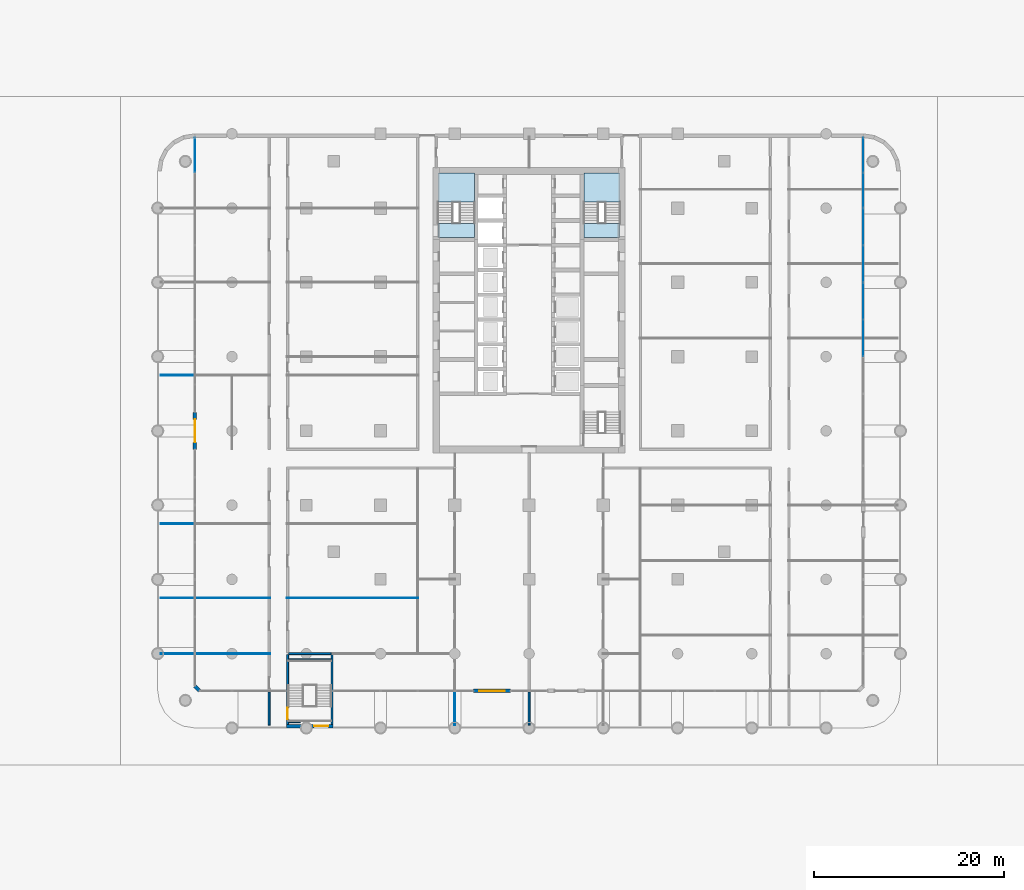
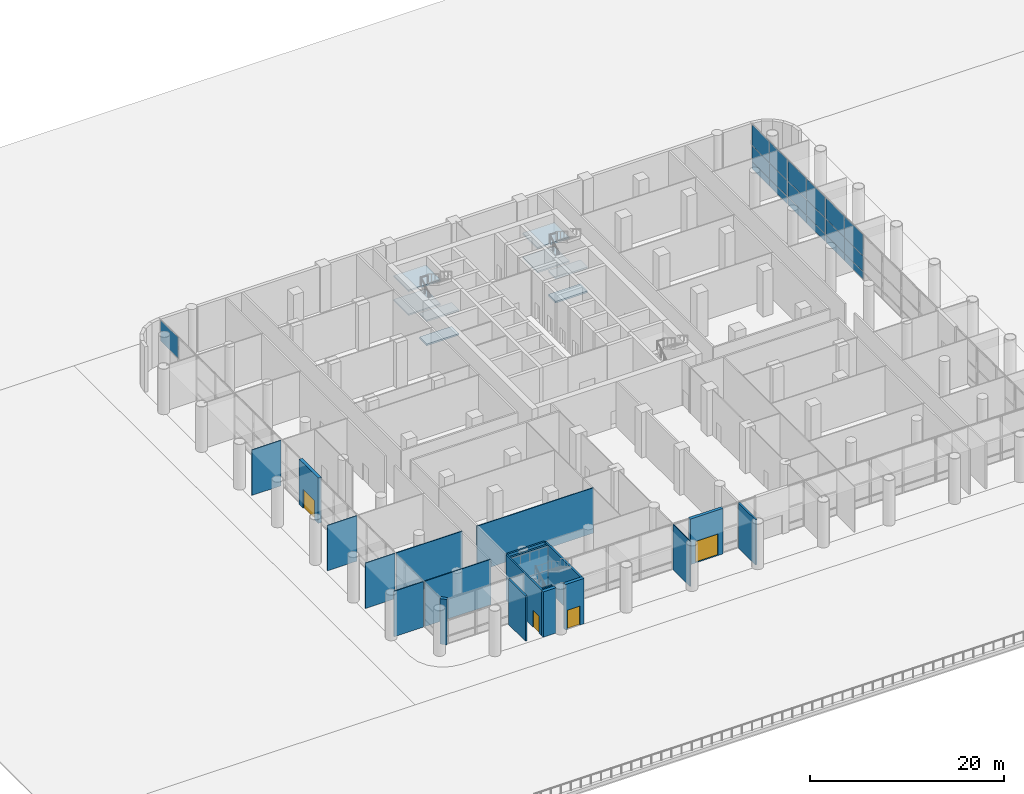
# One storey, part 10 of 32: 20 walls, 19 plates, 8 slabs, 4 doors, 4 openings, 6 elements without a shape of their own.
"""IFC4 building model written with IfcOpenShell, lengths in metres."""

from ifc_helpers import new_model, si_unit, direction, frame, frame_2d, origin, origin_2d, place, context, subcontext, project, spatial, polyline, rectangle, outline, extrude, material, layer, layer_set, type_object, element, fill, aggregate, save


model = new_model("IFC4")

# Units and contexts
model_context = context("Model", 3, precision=1e-05, world=origin(), true_north=direction((0.0, 1.0)))
body_context = subcontext(model_context, "Body", "Model", "MODEL_VIEW")
ifc_project = project(units=[si_unit("LENGTHUNIT", "METRE"), si_unit("AREAUNIT", "SQUARE_METRE"), si_unit("VOLUMEUNIT", "CUBIC_METRE"), si_unit("PLANEANGLEUNIT", "RADIAN"), si_unit("MASSUNIT", "GRAM", prefix="KILO")], contexts=[model_context])

# Site, building, storey
site_placement = place(None, origin())
site = spatial("IfcSite", under=ifc_project, at=site_placement, CompositionType="ELEMENT")
building_placement = place(site_placement, origin())
building = spatial("IfcBuilding", under=site, at=building_placement, Name="Ludao Terraces", CompositionType="ELEMENT")
storey_placement = place(building_placement, origin())
storey = spatial("IfcBuildingStorey", under=building, at=storey_placement, Name="L00", CompositionType="ELEMENT", Elevation=0.0)

# Curtain wall, plates
ifc_material_1 = material(Name="Aluminium curtain wall with fritted glass", Category="aluminium")
curtain_wall_type = type_object("IfcCurtainWallType", Name="ENV CW2 entrance glazing", PredefinedType="NOTDEFINED", material=ifc_material_1)
curtain_wall_1_placement = place(storey_placement, origin())
curtain_wall_1 = element("IfcCurtainWall", 1, at=curtain_wall_1_placement, inside=storey, type_object=curtain_wall_type, Name="CW-L00-E7", PredefinedType="NOTDEFINED")
ifc_material_2 = material(Name="Fritted glass panel", Category="glass")
ifc_layer_1 = layer(ifc_material_2, 0.033935546875)
ifc_layer_set_1 = layer_set([ifc_layer_1], Name="ENV CW2 glass panel")
plate_type = type_object("IfcPlateType", Name="ENV CW2 glass panel", PredefinedType="CURTAIN_PANEL", material=ifc_layer_set_1)
plate_1_placement = place(storey_placement, frame((120.10009765625, 66.965087890625, 0.06005859375), z_axis=(0.0, 0.0, 1.0), x_axis=(0.0, 1.0, 0.0)))
plate_1 = element("IfcPlate", 2, at=plate_1_placement, type_object=plate_type, Name="CW2 panel 1.1", PredefinedType="CURTAIN_PANEL", context=body_context, shape_type="SweptSolid", body=[
    extrude(rectangle(XDim=3.81005859375, YDim=0.033935546875, at=origin_2d()), origin(), (0.0, 0.0, 1.0), 0.909912109375),
])
plate_2_placement = place(storey_placement, frame((120.10009765625, 66.965087890625, 1.030029296875), z_axis=(0.0, 0.0, 1.0), x_axis=(0.0, 1.0, 0.0)))
plate_2 = element("IfcPlate", 3, at=plate_2_placement, type_object=plate_type, Name="CW2 panel 1.2", PredefinedType="CURTAIN_PANEL", context=body_context, shape_type="SweptSolid", body=[
    extrude(rectangle(XDim=3.81005859375, YDim=0.033935546875, at=origin_2d()), origin(), (0.0, 0.0, 1.0), 1.93994140625),
])
plate_3_placement = place(storey_placement, frame((120.10009765625, 66.965087890625, 3.02978515625), z_axis=(0.0, 0.0, 1.0), x_axis=(0.0, 1.0, 0.0)))
plate_3 = element("IfcPlate", 4, at=plate_3_placement, type_object=plate_type, Name="CW2 panel 1.3", PredefinedType="CURTAIN_PANEL", context=body_context, shape_type="SweptSolid", body=[
    extrude(rectangle(XDim=3.81005859375, YDim=0.033935546875, at=origin_2d()), origin(), (0.0, 0.0, 1.0), 2.610107421875),
])
plate_4_placement = place(storey_placement, frame((120.10009765625, 70.8349609375, 0.06005859375), z_axis=(0.0, 0.0, 1.0), x_axis=(0.0, 1.0, 0.0)))
plate_4 = element("IfcPlate", 5, at=plate_4_placement, type_object=plate_type, Name="CW2 panel 2.1", PredefinedType="CURTAIN_PANEL", context=body_context, shape_type="SweptSolid", body=[
    extrude(rectangle(XDim=3.81005859375, YDim=0.033935546875, at=origin_2d()), origin(), (0.0, 0.0, 1.0), 0.909912109375),
])
plate_5_placement = place(storey_placement, frame((120.10009765625, 70.8349609375, 1.030029296875), z_axis=(0.0, 0.0, 1.0), x_axis=(0.0, 1.0, 0.0)))
plate_5 = element("IfcPlate", 6, at=plate_5_placement, type_object=plate_type, Name="CW2 panel 2.2", PredefinedType="CURTAIN_PANEL", context=body_context, shape_type="SweptSolid", body=[
    extrude(rectangle(XDim=3.81005859375, YDim=0.033935546875, at=origin_2d()), origin(), (0.0, 0.0, 1.0), 1.93994140625),
])
plate_6_placement = place(storey_placement, frame((120.10009765625, 70.8349609375, 3.02978515625), z_axis=(0.0, 0.0, 1.0), x_axis=(0.0, 1.0, 0.0)))
plate_6 = element("IfcPlate", 7, at=plate_6_placement, type_object=plate_type, Name="CW2 panel 2.3", PredefinedType="CURTAIN_PANEL", context=body_context, shape_type="SweptSolid", body=[
    extrude(rectangle(XDim=3.81005859375, YDim=0.033935546875, at=origin_2d()), origin(), (0.0, 0.0, 1.0), 2.610107421875),
])
aggregate(curtain_wall_1, [plate_1, plate_2, plate_3, plate_4, plate_5, plate_6])

curtain_wall_2_placement = place(storey_placement, origin())
curtain_wall_2 = element("IfcCurtainWall", 8, at=curtain_wall_2_placement, inside=storey, type_object=curtain_wall_type, Name="CW-L00-E8", PredefinedType="NOTDEFINED")
plate_7_placement = place(storey_placement, frame((120.10009765625, 74.764892578125, 0.06005859375), z_axis=(0.0, 0.0, 1.0), x_axis=(0.0, 1.0, 0.0)))
plate_7 = element("IfcPlate", 9, at=plate_7_placement, type_object=plate_type, Name="CW2 panel 1.1", PredefinedType="CURTAIN_PANEL", context=body_context, shape_type="SweptSolid", body=[
    extrude(rectangle(XDim=3.81005859375, YDim=0.033935546875, at=origin_2d()), origin(), (0.0, 0.0, 1.0), 0.909912109375),
])
plate_8_placement = place(storey_placement, frame((120.10009765625, 74.764892578125, 1.030029296875), z_axis=(0.0, 0.0, 1.0), x_axis=(0.0, 1.0, 0.0)))
plate_8 = element("IfcPlate", 10, at=plate_8_placement, type_object=plate_type, Name="CW2 panel 1.2", PredefinedType="CURTAIN_PANEL", context=body_context, shape_type="SweptSolid", body=[
    extrude(rectangle(XDim=3.81005859375, YDim=0.033935546875, at=origin_2d()), origin(), (0.0, 0.0, 1.0), 1.93994140625),
])
plate_9_placement = place(storey_placement, frame((120.10009765625, 74.764892578125, 3.02978515625), z_axis=(0.0, 0.0, 1.0), x_axis=(0.0, 1.0, 0.0)))
plate_9 = element("IfcPlate", 11, at=plate_9_placement, type_object=plate_type, Name="CW2 panel 1.3", PredefinedType="CURTAIN_PANEL", context=body_context, shape_type="SweptSolid", body=[
    extrude(rectangle(XDim=3.81005859375, YDim=0.033935546875, at=origin_2d()), origin(), (0.0, 0.0, 1.0), 2.610107421875),
])
plate_10_placement = place(storey_placement, frame((120.10009765625, 78.635009765625, 0.06005859375), z_axis=(0.0, 0.0, 1.0), x_axis=(0.0, 1.0, 0.0)))
plate_10 = element("IfcPlate", 12, at=plate_10_placement, type_object=plate_type, Name="CW2 panel 2.1", PredefinedType="CURTAIN_PANEL", context=body_context, shape_type="SweptSolid", body=[
    extrude(rectangle(XDim=3.81005859375, YDim=0.033935546875, at=origin_2d()), origin(), (0.0, 0.0, 1.0), 0.909912109375),
])
plate_11_placement = place(storey_placement, frame((120.10009765625, 78.635009765625, 1.030029296875), z_axis=(0.0, 0.0, 1.0), x_axis=(0.0, 1.0, 0.0)))
plate_11 = element("IfcPlate", 13, at=plate_11_placement, type_object=plate_type, Name="CW2 panel 2.2", PredefinedType="CURTAIN_PANEL", context=body_context, shape_type="SweptSolid", body=[
    extrude(rectangle(XDim=3.81005859375, YDim=0.033935546875, at=origin_2d()), origin(), (0.0, 0.0, 1.0), 1.93994140625),
])
plate_12_placement = place(storey_placement, frame((120.10009765625, 78.635009765625, 3.02978515625), z_axis=(0.0, 0.0, 1.0), x_axis=(0.0, 1.0, 0.0)))
plate_12 = element("IfcPlate", 14, at=plate_12_placement, type_object=plate_type, Name="CW2 panel 2.3", PredefinedType="CURTAIN_PANEL", context=body_context, shape_type="SweptSolid", body=[
    extrude(rectangle(XDim=3.81005859375, YDim=0.033935546875, at=origin_2d()), origin(), (0.0, 0.0, 1.0), 2.610107421875),
])
aggregate(curtain_wall_2, [plate_7, plate_8, plate_9, plate_10, plate_11, plate_12])

curtain_wall_3_placement = place(storey_placement, origin())
curtain_wall_3 = element("IfcCurtainWall", 15, at=curtain_wall_3_placement, inside=storey, type_object=curtain_wall_type, Name="CW-L00-E9", PredefinedType="NOTDEFINED")
plate_13_placement = place(storey_placement, frame((120.10009765625, 82.469970703125, 0.06005859375), z_axis=(0.0, 0.0, 1.0), x_axis=(0.0, 1.0, 0.0)))
plate_13 = element("IfcPlate", 16, at=plate_13_placement, type_object=plate_type, Name="CW2 panel 1.1", PredefinedType="CURTAIN_PANEL", context=body_context, shape_type="SweptSolid", body=[
    extrude(rectangle(XDim=3.6201171875, YDim=0.033935546875, at=origin_2d()), origin(), (0.0, 0.0, 1.0), 0.909912109375),
])
plate_14_placement = place(storey_placement, frame((120.10009765625, 82.469970703125, 1.030029296875), z_axis=(0.0, 0.0, 1.0), x_axis=(0.0, 1.0, 0.0)))
plate_14 = element("IfcPlate", 17, at=plate_14_placement, type_object=plate_type, Name="CW2 panel 1.2", PredefinedType="CURTAIN_PANEL", context=body_context, shape_type="SweptSolid", body=[
    extrude(rectangle(XDim=3.6201171875, YDim=0.033935546875, at=origin_2d()), origin(), (0.0, 0.0, 1.0), 1.93994140625),
])
plate_15_placement = place(storey_placement, frame((120.10009765625, 82.469970703125, 3.02978515625), z_axis=(0.0, 0.0, 1.0), x_axis=(0.0, 1.0, 0.0)))
plate_15 = element("IfcPlate", 18, at=plate_15_placement, type_object=plate_type, Name="CW2 panel 1.3", PredefinedType="CURTAIN_PANEL", context=body_context, shape_type="SweptSolid", body=[
    extrude(rectangle(XDim=3.6201171875, YDim=0.033935546875, at=origin_2d()), origin(), (0.0, 0.0, 1.0), 2.610107421875),
])
plate_16_placement = place(storey_placement, frame((120.10009765625, 86.14990234375, 0.06005859375), z_axis=(0.0, 0.0, 1.0), x_axis=(0.0, 1.0, 0.0)))
plate_16 = element("IfcPlate", 19, at=plate_16_placement, type_object=plate_type, Name="CW2 panel 2.1", PredefinedType="CURTAIN_PANEL", context=body_context, shape_type="SweptSolid", body=[
    extrude(rectangle(XDim=3.6201171875, YDim=0.033935546875, at=origin_2d()), origin(), (0.0, 0.0, 1.0), 0.909912109375),
])
plate_17_placement = place(storey_placement, frame((120.10009765625, 86.14990234375, 1.030029296875), z_axis=(0.0, 0.0, 1.0), x_axis=(0.0, 1.0, 0.0)))
plate_17 = element("IfcPlate", 20, at=plate_17_placement, type_object=plate_type, Name="CW2 panel 2.2", PredefinedType="CURTAIN_PANEL", context=body_context, shape_type="SweptSolid", body=[
    extrude(rectangle(XDim=3.6201171875, YDim=0.033935546875, at=origin_2d()), origin(), (0.0, 0.0, 1.0), 1.93994140625),
])
plate_18_placement = place(storey_placement, frame((120.10009765625, 86.14990234375, 3.02978515625), z_axis=(0.0, 0.0, 1.0), x_axis=(0.0, 1.0, 0.0)))
plate_18 = element("IfcPlate", 21, at=plate_18_placement, type_object=plate_type, Name="CW2 panel 2.3", PredefinedType="CURTAIN_PANEL", context=body_context, shape_type="SweptSolid", body=[
    extrude(rectangle(XDim=3.6201171875, YDim=0.033935546875, at=origin_2d()), origin(), (0.0, 0.0, 1.0), 2.610107421875),
])
aggregate(curtain_wall_3, [plate_13, plate_14, plate_15, plate_16, plate_17, plate_18])

# Curtain wall, plate
curtain_wall_4_placement = place(storey_placement, origin())
curtain_wall_4 = element("IfcCurtainWall", 22, at=curtain_wall_4_placement, inside=storey, type_object=curtain_wall_type, Name="CW-L00-W9", PredefinedType="NOTDEFINED")
plate_19_placement = place(storey_placement, frame((49.89990234375, 86.14990234375, 3.02978515625), z_axis=(0.0, 0.0, 1.0), x_axis=(0.0, 1.0, 0.0)))
plate_19 = element("IfcPlate", 23, at=plate_19_placement, type_object=plate_type, Name="CW2 panel 2.3", PredefinedType="CURTAIN_PANEL", context=body_context, shape_type="SweptSolid", body=[
    extrude(rectangle(XDim=3.6201171875, YDim=0.033935546875, at=origin_2d()), origin(), (0.0, 0.0, 1.0), 2.610107421875),
])
aggregate(curtain_wall_4, [plate_19])

# Stair, slabs
ifc_material_3 = material(Name="Concrete C40", Category="concrete")
stair_type = type_object("IfcStairType", Name="INT Stair", PredefinedType="HALF_TURN_STAIR", material=ifc_material_3)
stair_1_placement = place(storey_placement, origin())
stair_1 = element("IfcStair", 24, at=stair_1_placement, inside=storey, type_object=stair_type, Name="EXIT STAIR 1", PredefinedType="HALF_TURN_STAIR")
ifc_layer_2 = layer(ifc_material_3, 0.199951171875)
ifc_layer_set_2 = layer_set([ifc_layer_2], Name="INT Stair landing 200")
slab_type = type_object("IfcSlabType", Name="INT Stair landing 200", PredefinedType="LANDING", material=ifc_layer_set_2)
slab_1_placement = place(storey_placement, frame((0.0, 0.0, 1.300048828125)))
slab_1 = element("IfcSlab", 25, at=slab_1_placement, type_object=slab_type, Name="ST1 landing 1", PredefinedType="LANDING", context=body_context, shape_type="SweptSolid", body=[
    extrude(outline(polyline([(75.449951171875, 81.239990234375), (79.25, 81.239990234375), (79.25, 84.300048828125), (75.449951171875, 84.300048828125), (75.449951171875, 81.239990234375)])), origin(), (0.0, 0.0, 1.0), 0.199951171875),
])
slab_2_placement = place(storey_placement, frame((0.0, 0.0, 2.800048828125)))
slab_2 = element("IfcSlab", 26, at=slab_2_placement, type_object=slab_type, Name="ST1 landing 2", PredefinedType="LANDING", context=body_context, shape_type="SweptSolid", body=[
    extrude(outline(polyline([(75.449951171875, 77.5), (79.25, 77.5), (79.25, 79.0), (75.449951171875, 79.0), (75.449951171875, 77.5)])), origin(), (0.0, 0.0, 1.0), 0.199951171875),
])
slab_3_placement = place(storey_placement, frame((0.0, 0.0, 4.300048828125)))
slab_3 = element("IfcSlab", 27, at=slab_3_placement, type_object=slab_type, Name="ST1 landing 3", PredefinedType="LANDING", context=body_context, shape_type="SweptSolid", body=[
    extrude(outline(polyline([(75.449951171875, 81.239990234375), (79.25, 81.239990234375), (79.25, 84.300048828125), (75.449951171875, 84.300048828125), (75.449951171875, 81.239990234375)])), origin(), (0.0, 0.0, 1.0), 0.199951171875),
])
slab_4_placement = place(storey_placement, frame((0.0, 0.0, -0.199951171875)))
slab_4 = element("IfcSlab", 28, at=slab_4_placement, type_object=slab_type, Name="ST1 landing 4", PredefinedType="LANDING", context=body_context, shape_type="SweptSolid", body=[
    extrude(outline(polyline([(75.449951171875, 77.5), (79.25, 77.5), (79.25, 79.0), (75.449951171875, 79.0), (75.449951171875, 77.5)])), origin(), (0.0, 0.0, 1.0), 0.199951171875),
])
aggregate(stair_1, [slab_1, slab_2, slab_3, slab_4])

stair_2_placement = place(storey_placement, origin())
stair_2 = element("IfcStair", 29, at=stair_2_placement, inside=storey, type_object=stair_type, Name="EXIT STAIR 2", PredefinedType="HALF_TURN_STAIR")
slab_5_placement = place(storey_placement, frame((0.0, 0.0, 1.300048828125)))
slab_5 = element("IfcSlab", 30, at=slab_5_placement, type_object=slab_type, Name="ST2 landing 1", PredefinedType="LANDING", context=body_context, shape_type="SweptSolid", body=[
    extrude(outline(polyline([(90.75, 81.239990234375), (94.550048828125, 81.239990234375), (94.550048828125, 84.300048828125), (90.75, 84.300048828125), (90.75, 81.239990234375)])), origin(), (0.0, 0.0, 1.0), 0.199951171875),
])
slab_6_placement = place(storey_placement, frame((0.0, 0.0, 2.800048828125)))
slab_6 = element("IfcSlab", 31, at=slab_6_placement, type_object=slab_type, Name="ST2 landing 2", PredefinedType="LANDING", context=body_context, shape_type="SweptSolid", body=[
    extrude(outline(polyline([(90.75, 77.5), (94.550048828125, 77.5), (94.550048828125, 79.0), (90.75, 79.0), (90.75, 77.5)])), origin(), (0.0, 0.0, 1.0), 0.199951171875),
])
slab_7_placement = place(storey_placement, frame((0.0, 0.0, 4.300048828125)))
slab_7 = element("IfcSlab", 32, at=slab_7_placement, type_object=slab_type, Name="ST2 landing 3", PredefinedType="LANDING", context=body_context, shape_type="SweptSolid", body=[
    extrude(outline(polyline([(90.75, 81.239990234375), (94.550048828125, 81.239990234375), (94.550048828125, 84.300048828125), (90.75, 84.300048828125), (90.75, 81.239990234375)])), origin(), (0.0, 0.0, 1.0), 0.199951171875),
])
slab_8_placement = place(storey_placement, frame((0.0, 0.0, -0.199951171875)))
slab_8 = element("IfcSlab", 33, at=slab_8_placement, type_object=slab_type, Name="ST2 landing 4", PredefinedType="LANDING", context=body_context, shape_type="SweptSolid", body=[
    extrude(outline(polyline([(90.75, 77.5), (94.550048828125, 77.5), (94.550048828125, 79.0), (90.75, 79.0), (90.75, 77.5)])), origin(), (0.0, 0.0, 1.0), 0.199951171875),
])
aggregate(stair_2, [slab_5, slab_6, slab_7, slab_8])

# Wall, opening, door
ifc_material_4 = material(Name="Granite cladding", Category="masonry")
ifc_layer_3 = layer(ifc_material_4, 0.06005859375, Category="stone")
ifc_material_5 = material(Name="Mineral wool")
ifc_layer_4 = layer(ifc_material_5, 0.06005859375)
ifc_layer_5 = layer(ifc_material_3, 0.260009765625, Category="concrete")
ifc_layer_set_3 = layer_set([ifc_layer_3, ifc_layer_4, ifc_layer_5], Name="ENV Entrance portal wall 380")
wall_type_1 = type_object("IfcWallType", Name="ENV Entrance portal wall 380", PredefinedType="SOLIDWALL", material=ifc_layer_set_3)
wall_1_placement = place(storey_placement, frame((79.14990234375, 29.89990234375, 0.0), z_axis=(0.0, 0.0, 1.0), x_axis=(1.0, 0.0, 0.0)))
wall_1 = element("IfcWall", 34, at=wall_1_placement, inside=storey, type_object=wall_type_1, Name="EW-L00-SP6", PredefinedType="SOLIDWALL", context=body_context, shape_type="SweptSolid", body=[
    extrude(rectangle(XDim=3.900146484375, YDim=0.3798828125, at=frame_2d((1.9501953125, 0.0))), origin(), (0.0, 0.0, 1.0), 5.699951171875),
])
opening_1_placement = place(wall_1_placement, frame((0.60009765625, 0.0, 0.0)))
opening_1 = element("IfcOpeningElement", 35, at=opening_1_placement, cuts=wall_1, Name="Opening EN1", PredefinedType="OPENING", context=body_context, shape_type="SweptSolid", body=[
    extrude(rectangle(XDim=2.699951171875, YDim=2.699951171875, at=frame_2d((1.35009765625, 1.35009765625))), frame((0.0, 0.199951171875, 0.0), z_axis=(0.0, -1.0, 0.0), x_axis=(1.0, 0.0, 0.0)), (0.0, 0.0, 1.0), 0.39990234375),
])
ifc_material_6 = material(Name="Aluminium glazed door", Category="aluminium")
ifc_layer_6 = layer(ifc_material_6, 0.06005859375)
ifc_layer_set_4 = layer_set([ifc_layer_6], Name="ENV Entrance door EN1 2700x2700")
door_type_1 = type_object("IfcDoorType", Name="ENV Entrance door EN1 2700x2700", OperationType="DOUBLE_DOOR_SINGLE_SWING", PredefinedType="DOOR", material=ifc_layer_set_4)
door_1_placement = place(opening_1_placement, frame((2.699951171875, 0.0, 0.0), z_axis=(0.0, 0.0, 1.0), x_axis=(-1.0, 0.0, 0.0)))
door_1 = element("IfcDoor", 36, at=door_1_placement, inside=storey, type_object=door_type_1, Name="EX-L00-S6", OperationType="DOUBLE_DOOR_SINGLE_SWING", OverallHeight=2.699951171875, OverallWidth=2.699951171875, PredefinedType="DOOR", context=body_context, shape_type="SweptSolid", body=[
    extrude(rectangle(XDim=2.699951171875, YDim=2.699951171875, at=frame_2d((1.35009765625, 1.35009765625))), frame((0.0, 0.02490234375, 0.0), z_axis=(0.0, -1.0, 0.0), x_axis=(1.0, 0.0, 0.0)), (0.0, 0.0, 1.0), 0.050048828125),
])
fill(opening_1, door_1)

wall_2_placement = place(storey_placement, frame((49.89990234375, 55.25, 0.0), z_axis=(0.0, 0.0, 1.0), x_axis=(0.0, 1.0, 0.0)))
wall_2 = element("IfcWall", 37, at=wall_2_placement, inside=storey, type_object=wall_type_1, Name="EW-L00-WP5", PredefinedType="SOLIDWALL", context=body_context, shape_type="SweptSolid", body=[
    extrude(rectangle(XDim=3.89990234375, YDim=0.3798828125, at=frame_2d((1.949951171875, 0.0))), origin(), (0.0, 0.0, 1.0), 5.699951171875),
])
opening_2_placement = place(wall_2_placement, frame((0.75, 0.0, 0.0)))
opening_2 = element("IfcOpeningElement", 38, at=opening_2_placement, cuts=wall_2, Name="Opening EN3", PredefinedType="OPENING", context=body_context, shape_type="SweptSolid", body=[
    extrude(rectangle(XDim=2.39990234375, YDim=2.39990234375, at=frame_2d((1.199951171875, 1.199951171875))), frame((0.0, 0.199951171875, 0.0), z_axis=(0.0, -1.0, 0.0), x_axis=(1.0, 0.0, 0.0)), (0.0, 0.0, 1.0), 0.39990234375),
])
ifc_layer_7 = layer(ifc_material_6, 0.06005859375)
ifc_layer_set_5 = layer_set([ifc_layer_7], Name="ENV Entrance door EN3 2400x2400")
door_type_2 = type_object("IfcDoorType", Name="ENV Entrance door EN3 2400x2400", OperationType="DOUBLE_DOOR_SINGLE_SWING", PredefinedType="DOOR", material=ifc_layer_set_5)
door_2_placement = place(opening_2_placement, origin())
door_2 = element("IfcDoor", 39, at=door_2_placement, inside=storey, type_object=door_type_2, Name="EX-L00-W5", OperationType="DOUBLE_DOOR_SINGLE_SWING", OverallHeight=2.39990234375, OverallWidth=2.39990234375, PredefinedType="DOOR", context=body_context, shape_type="SweptSolid", body=[
    extrude(rectangle(XDim=2.39990234375, YDim=2.39990234375, at=frame_2d((1.199951171875, 1.199951171875))), frame((0.0, 0.02490234375, 0.0), z_axis=(0.0, -1.0, 0.0), x_axis=(1.0, 0.0, 0.0)), (0.0, 0.0, 1.0), 0.050048828125),
])
fill(opening_2, door_2)

# Wall
ifc_layer_8 = layer(ifc_material_4, 0.06005859375, Category="stone")
ifc_layer_9 = layer(ifc_material_5, 0.06005859375)
ifc_layer_10 = layer(ifc_material_3, 0.260009765625, Category="concrete")
ifc_layer_set_6 = layer_set([ifc_layer_8, ifc_layer_9, ifc_layer_10], Name="ENV Stone-clad wall 380")
wall_type_2 = type_object("IfcWallType", Name="ENV Stone-clad wall 380", PredefinedType="SOLIDWALL", material=ifc_layer_set_6)
wall_3_placement = place(storey_placement, frame((59.550048828125, 26.18994140625, 0.0), z_axis=(0.0, 0.0, 1.0), x_axis=(1.0, 0.0, 0.0)))
element("IfcWall", 40, at=wall_3_placement, inside=storey, type_object=wall_type_2, Name="EW-L00-SX1-1", PredefinedType="SOLIDWALL", context=body_context, shape_type="SweptSolid", body=[
    extrude(rectangle(XDim=1.496826171875, YDim=0.3798828125, at=frame_2d((0.74853515625, 0.0))), origin(), (0.0, 0.0, 1.0), 5.699951171875),
])

# Wall, opening, door
wall_4_placement = place(storey_placement, frame((62.153076171875, 26.18994140625, 0.0), z_axis=(0.0, 0.0, 1.0), x_axis=(1.0, 0.0, 0.0)))
wall_4 = element("IfcWall", 41, at=wall_4_placement, inside=storey, type_object=wall_type_2, Name="EW-L00-SX1-2", PredefinedType="SOLIDWALL", context=body_context, shape_type="SweptSolid", body=[
    extrude(rectangle(XDim=2.246826171875, YDim=0.3798828125, at=frame_2d((1.12353515625, 0.0))), origin(), (0.0, 0.0, 1.0), 5.699951171875),
])
opening_3_placement = place(wall_4_placement, frame((0.26708984375, 0.0, 0.0)))
opening_3 = element("IfcOpeningElement", 42, at=opening_3_placement, cuts=wall_4, Name="Opening XD", PredefinedType="OPENING", context=body_context, shape_type="SweptSolid", body=[
    extrude(rectangle(XDim=1.5, YDim=2.39990234375, at=frame_2d((0.75, 1.199951171875))), frame((0.0, 0.199951171875, 0.0), z_axis=(0.0, -1.0, 0.0), x_axis=(1.0, 0.0, 0.0)), (0.0, 0.0, 1.0), 0.39990234375),
])
ifc_material_7 = material(Name="Steel Q235", Category="steel")
ifc_layer_11 = layer(ifc_material_7, 0.06005859375)
ifc_layer_set_7 = layer_set([ifc_layer_11], Name="ENV Stair discharge door XD 1500x2400")
door_type_3 = type_object("IfcDoorType", Name="ENV Stair discharge door XD 1500x2400", OperationType="DOUBLE_DOOR_SINGLE_SWING", PredefinedType="DOOR", material=ifc_layer_set_7)
door_3_placement = place(opening_3_placement, frame((1.5, 0.0, 0.0), z_axis=(0.0, 0.0, 1.0), x_axis=(-1.0, 0.0, 0.0)))
door_3 = element("IfcDoor", 43, at=door_3_placement, inside=storey, type_object=door_type_3, Name="EX-L00-SX1", OperationType="DOUBLE_DOOR_SINGLE_SWING", OverallHeight=2.39990234375, OverallWidth=1.5, PredefinedType="DOOR", context=body_context, shape_type="SweptSolid", body=[
    extrude(rectangle(XDim=1.5, YDim=2.39990234375, at=frame_2d((0.75, 1.199951171875))), frame((0.0, 0.02490234375, 0.0), z_axis=(0.0, -1.0, 0.0), x_axis=(1.0, 0.0, 0.0)), (0.0, 0.0, 1.0), 0.050048828125),
])
fill(opening_3, door_3)

# Walls
wall_5_placement = place(storey_placement, frame((50.39990234375, 29.89990234375, 0.0), z_axis=(0.0, 0.0, 1.0), x_axis=(-0.707106781187, 0.707106781187, 0.0)))
element("IfcWall", 44, at=wall_5_placement, inside=storey, type_object=wall_type_2, Name="EW-L00-SW", PredefinedType="SOLIDWALL", context=body_context, shape_type="SweptSolid", body=[
    extrude(rectangle(XDim=0.70703125, YDim=0.3798828125, at=frame_2d((0.353515625, 0.0))), origin(), (0.0, 0.0, 1.0), 5.699951171875),
])
ifc_material_8 = material(Name="Autoclaved aerated concrete block B06 A3.5", Category="concrete")
ifc_layer_12 = layer(ifc_material_8, 0.199951171875)
ifc_layer_set_8 = layer_set([ifc_layer_12], Name="INT Entrance wall 200")
wall_type_3 = type_object("IfcWallType", Name="INT Entrance wall 200", PredefinedType="PARTITIONING", material=ifc_layer_set_8)
for number, where, z_axis, x_axis, name in (
    (45, (57.699951171875, 26.300048828125, 0.0), (0.0, 0.0, 1.0), (0.0, 1.0, 0.0), "PW-L00-PW050"),
    (46, (85.0, 26.300048828125, 0.0), (0.0, 0.0, 1.0), (0.0, 1.0, 0.0), "PW-L00-PW061"),
):
    element("IfcWall", number, at=place(storey_placement, frame(where, z_axis=z_axis, x_axis=x_axis)), inside=storey, type_object=wall_type_3, Name=name, PredefinedType="PARTITIONING", context=body_context, shape_type="SweptSolid", body=[
        extrude(rectangle(XDim=3.5, YDim=0.199951171875, at=frame_2d((1.75, 0.0))), origin(), (0.0, 0.0, 1.0), 5.699951171875),
    ])
ifc_material_9 = material(Name="Gypsum plasterboard", Category="gypsum")
ifc_layer_13 = layer(ifc_material_9, 0.012451171875, Category="gypsum")
ifc_layer_14 = layer(ifc_material_5, 0.06005859375, Name="insulation")
ifc_layer_15 = layer(ifc_material_7, 0.014892578125, Name="stud")
ifc_layer_16 = layer(ifc_material_9, 0.012451171875, Category="gypsum")
ifc_layer_set_9 = layer_set([ifc_layer_13, ifc_layer_14, ifc_layer_15, ifc_layer_16], Name="INT Partition 100")
wall_type_4 = type_object("IfcWallType", Name="INT Partition 100", PredefinedType="PARTITIONING", material=ifc_layer_set_9)
wall_6_placement = place(storey_placement, frame((46.300048828125, 33.800048828125, 0.0), z_axis=(0.0, 0.0, 1.0), x_axis=(1.0, 0.0, 0.0)))
element("IfcWall", 47, at=wall_6_placement, inside=storey, type_object=wall_type_4, Name="PW-L00-PW000", PredefinedType="PARTITIONING", context=body_context, shape_type="SweptSolid", body=[
    extrude(rectangle(XDim=3.5, YDim=0.10009765625, at=frame_2d((1.75, 0.0))), origin(), (0.0, 0.0, 1.0), 5.699951171875),
])
wall_7_placement = place(storey_placement, frame((50.0, 33.800048828125, 0.0), z_axis=(0.0, 0.0, 1.0), x_axis=(1.0, 0.0, 0.0)))
element("IfcWall", 48, at=wall_7_placement, inside=storey, type_object=wall_type_4, Name="PW-L00-PW001", PredefinedType="PARTITIONING", context=body_context, shape_type="SweptSolid", body=[
    extrude(rectangle(XDim=7.800048828125, YDim=0.10009765625, at=frame_2d((3.89990234375, 0.0))), origin(), (0.0, 0.0, 1.0), 5.699951171875),
])
wall_8_placement = place(storey_placement, frame((46.300048828125, 39.64990234375, 0.0), z_axis=(0.0, 0.0, 1.0), x_axis=(1.0, 0.0, 0.0)))
element("IfcWall", 49, at=wall_8_placement, inside=storey, type_object=wall_type_4, Name="PW-L00-PW008", PredefinedType="PARTITIONING", context=body_context, shape_type="SweptSolid", body=[
    extrude(rectangle(XDim=3.5, YDim=0.10009765625, at=frame_2d((1.75, 0.0))), origin(), (0.0, 0.0, 1.0), 5.699951171875),
])
wall_9_placement = place(storey_placement, frame((50.0, 39.64990234375, 0.0), z_axis=(0.0, 0.0, 1.0), x_axis=(1.0, 0.0, 0.0)))
element("IfcWall", 50, at=wall_9_placement, inside=storey, type_object=wall_type_4, Name="PW-L00-PW009", PredefinedType="PARTITIONING", context=body_context, shape_type="SweptSolid", body=[
    extrude(rectangle(XDim=7.800048828125, YDim=0.10009765625, at=frame_2d((3.89990234375, 0.0))), origin(), (0.0, 0.0, 1.0), 5.699951171875),
])
wall_10_placement = place(storey_placement, frame((59.550048828125, 39.64990234375, 0.0), z_axis=(0.0, 0.0, 1.0), x_axis=(1.0, 0.0, 0.0)))
element("IfcWall", 51, at=wall_10_placement, inside=storey, type_object=wall_type_4, Name="PW-L00-PW010", PredefinedType="PARTITIONING", context=body_context, shape_type="SweptSolid", body=[
    extrude(rectangle(XDim=13.800048828125, YDim=0.10009765625, at=frame_2d((6.89990234375, 0.0))), origin(), (0.0, 0.0, 1.0), 5.699951171875),
])
for number, where, z_axis, x_axis, name in (
    (52, (46.300048828125, 47.449951171875, 0.0), (0.0, 0.0, 1.0), (1.0, 0.0, 0.0), "PW-L00-PW016"),
    (53, (46.300048828125, 63.050048828125, 0.0), (0.0, 0.0, 1.0), (1.0, 0.0, 0.0), "PW-L00-PW027"),
    (54, (77.199951171875, 26.300048828125, 0.0), (0.0, 0.0, 1.0), (0.0, 1.0, 0.0), "PW-L00-PW058"),
):
    element("IfcWall", number, at=place(storey_placement, frame(where, z_axis=z_axis, x_axis=x_axis)), inside=storey, type_object=wall_type_4, Name=name, PredefinedType="PARTITIONING", context=body_context, shape_type="SweptSolid", body=[
        extrude(rectangle(XDim=3.5, YDim=0.10009765625, at=frame_2d((1.75, 0.0))), origin(), (0.0, 0.0, 1.0), 5.699951171875),
    ])
ifc_layer_17 = layer(ifc_material_3, 0.199951171875)
ifc_layer_set_10 = layer_set([ifc_layer_17], Name="INT Stair enclosure wall 200")
wall_type_5 = type_object("IfcWallType", Name="INT Stair enclosure wall 200", PredefinedType="PARTITIONING", material=ifc_layer_set_10)
wall_11_placement = place(storey_placement, frame((59.75, 33.800048828125, 0.0), z_axis=(0.0, 0.0, 1.0), x_axis=(1.0, 0.0, 0.0)))
element("IfcWall", 55, at=wall_11_placement, inside=storey, type_object=wall_type_5, Name="PW-L00-PW002", PredefinedType="PARTITIONING", context=body_context, shape_type="SweptSolid", body=[
    extrude(rectangle(XDim=4.4501953125, YDim=0.199951171875, at=frame_2d((2.22509765625, 0.0))), origin(), (0.0, 0.0, 1.0), 5.699951171875),
])

# Wall, opening, door
ifc_material_10 = material(Name="Concrete C50", Category="concrete")
ifc_layer_18 = layer(ifc_material_10, 0.199951171875)
ifc_layer_set_11 = layer_set([ifc_layer_18], Name="Shaft wall 200 C50")
wall_type_6 = type_object("IfcWallType", Name="Shaft wall 200 C50", PredefinedType="SOLIDWALL", material=ifc_layer_set_11)
wall_12_placement = place(storey_placement, frame((59.64990234375, 26.3798828125, 0.0), z_axis=(0.0, 0.0, 1.0), x_axis=(0.0, 1.0, 0.0)))
wall_12 = element("IfcWall", 56, at=wall_12_placement, inside=storey, type_object=wall_type_6, Name="Stair wall L00 PS1 W", PredefinedType="SOLIDWALL", context=body_context, shape_type="SweptSolid", body=[
    extrude(rectangle(XDim=7.320068359375, YDim=0.199951171875, at=frame_2d((3.66015625, 0.0))), origin(), (0.0, 0.0, 1.0), 5.699951171875),
])
opening_4_placement = place(wall_12_placement, frame((0.52001953125, 0.0, 0.0)))
opening_4 = element("IfcOpeningElement", 57, at=opening_4_placement, cuts=wall_12, Name="Opening L00-001", PredefinedType="OPENING", context=body_context, shape_type="SweptSolid", body=[
    extrude(rectangle(XDim=1.199951171875, YDim=2.10009765625, at=frame_2d((0.60009765625, 1.050048828125))), frame((0.0, 0.10986328125, 0.0), z_axis=(0.0, -1.0, 0.0), x_axis=(1.0, 0.0, 0.0)), (0.0, 0.0, 1.0), 0.219970703125),
])
door_type_4 = type_object("IfcDoorType", Name="INT Stair door 1200", OperationType="DOUBLE_DOOR_SINGLE_SWING", PredefinedType="DOOR", material=ifc_material_7)
door_4_placement = place(opening_4_placement, origin())
door_4 = element("IfcDoor", 58, at=door_4_placement, inside=storey, type_object=door_type_4, Name="DOOR 001", OperationType="DOUBLE_DOOR_SINGLE_SWING", OverallHeight=2.10009765625, OverallWidth=1.199951171875, PredefinedType="DOOR", context=body_context, shape_type="SweptSolid", body=[
    extrude(rectangle(XDim=1.199951171875, YDim=2.10009765625, at=frame_2d((0.60009765625, 1.050048828125))), frame((0.0, 0.02490234375, 0.0), z_axis=(0.0, -1.0, 0.0), x_axis=(1.0, 0.0, 0.0)), (0.0, 0.0, 1.0), 0.050048828125),
])
fill(opening_4, door_4)

# Walls
wall_13_placement = place(storey_placement, frame((64.300048828125, 26.3798828125, 0.0), z_axis=(0.0, 0.0, 1.0), x_axis=(0.0, 1.0, 0.0)))
element("IfcWall", 59, at=wall_13_placement, inside=storey, type_object=wall_type_6, Name="Stair wall L00 PS1 E", PredefinedType="SOLIDWALL", context=body_context, shape_type="SweptSolid", body=[
    extrude(rectangle(XDim=7.320068359375, YDim=0.199951171875, at=frame_2d((3.66015625, 0.0))), origin(), (0.0, 0.0, 1.0), 5.699951171875),
])
wall_14_placement = place(storey_placement, frame((59.75, 33.14990234375, 0.0), z_axis=(0.0, 0.0, 1.0), x_axis=(1.0, 0.0, 0.0)))
element("IfcWall", 60, at=wall_14_placement, inside=storey, type_object=wall_type_6, Name="Stair wall L00 PS1 N", PredefinedType="SOLIDWALL", context=body_context, shape_type="SweptSolid", body=[
    extrude(rectangle(XDim=4.449951171875, YDim=0.199951171875, at=frame_2d((2.22509765625, 0.0))), origin(), (0.0, 0.0, 1.0), 5.699951171875),
])
wall_15_placement = place(storey_placement, frame((59.75, 26.64990234375, 0.0), z_axis=(0.0, 0.0, 1.0), x_axis=(1.0, 0.0, 0.0)))
element("IfcWall", 61, at=wall_15_placement, inside=storey, type_object=wall_type_6, Name="Stair wall L00 PS1 S", PredefinedType="SOLIDWALL", context=body_context, shape_type="SweptSolid", body=[
    extrude(rectangle(XDim=1.199951171875, YDim=0.199951171875, at=frame_2d((0.60009765625, 0.0))), origin(), (0.0, 0.0, 1.0), 5.699951171875),
])

save(model, "model.ifc")
